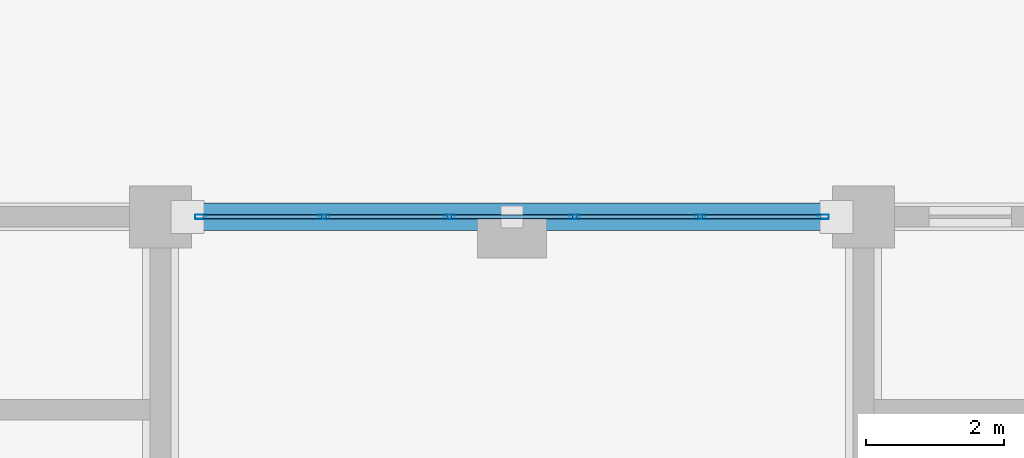
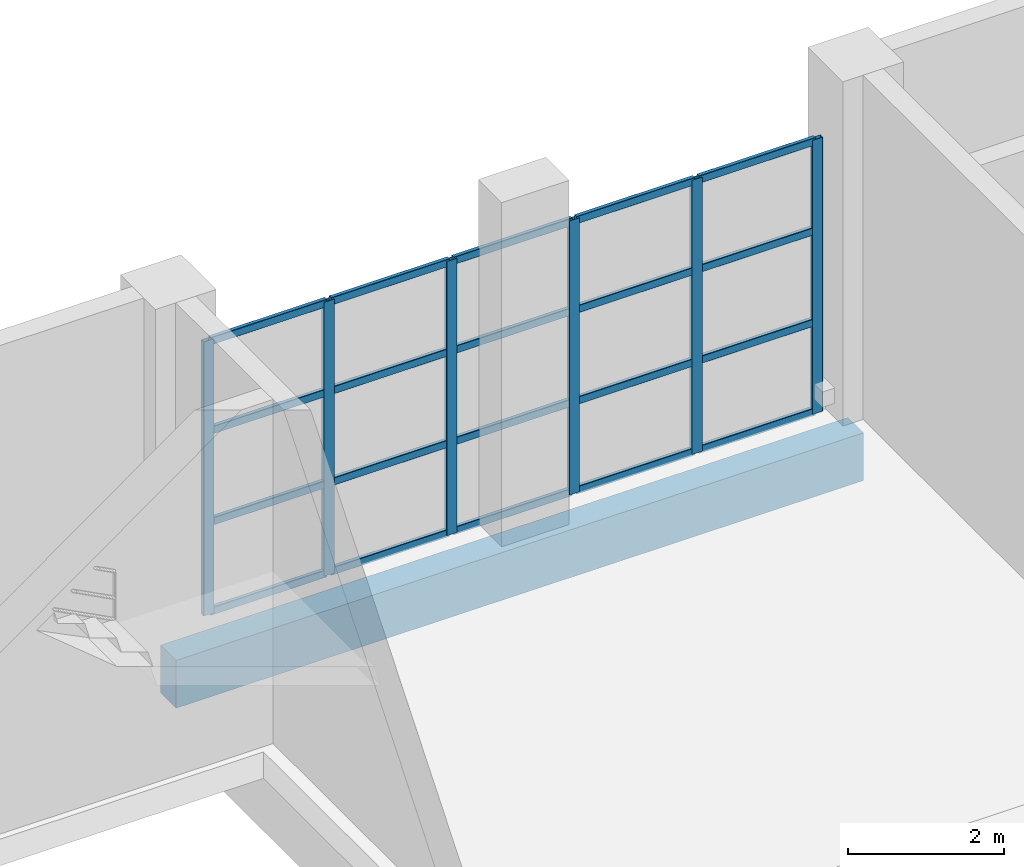
# One storey, part 66 of 124: 26 members, 1 beam, 1 element without a shape of its own.
"""IFC4 building model written with IfcOpenShell, lengths in metres."""

from ifc_helpers import new_model, si_unit, direction, frame, origin, origin_2d, place, context, subcontext, project, spatial, rectangle, hollow_rectangle, extrude, material, material_profile, profile_set, type_object, element, aggregate, save


model = new_model("IFC4")

# Units and contexts
model_context = context("Model", 3, precision=1e-05, world=origin(), true_north=direction((0.0, 1.0)))
body_context = subcontext(model_context, "Body", "Model", "MODEL_VIEW")
ifc_project = project(units=[si_unit("LENGTHUNIT", "METRE"), si_unit("AREAUNIT", "SQUARE_METRE"), si_unit("VOLUMEUNIT", "CUBIC_METRE"), si_unit("PLANEANGLEUNIT", "RADIAN"), si_unit("MASSUNIT", "GRAM", prefix="KILO")], contexts=[model_context])

# Site, building, storey
site_placement = place(None, origin())
site = spatial("IfcSite", under=ifc_project, at=site_placement, CompositionType="ELEMENT")
building_placement = place(site_placement, origin())
building = spatial("IfcBuilding", under=site, at=building_placement, Name="Brelvane Convention Centre", CompositionType="ELEMENT")
storey_placement = place(building_placement, origin())
storey = spatial("IfcBuildingStorey", under=building, at=storey_placement, Name="L00", CompositionType="ELEMENT", Elevation=0.0)

# Curtain wall, members
ifc_material_1 = material(Name="Anodised Aluminium Alloy 6063-T6", Category="aluminium")
curtain_wall_type = type_object("IfcCurtainWallType", Name="Curtain Wall CW-BOUL", PredefinedType="USERDEFINED", material=ifc_material_1)
curtain_wall_placement = place(storey_placement, origin())
curtain_wall = element("IfcCurtainWall", 1, at=curtain_wall_placement, inside=storey, type_object=curtain_wall_type, Name="Curtain Wall CW-BOUL L00-V4N-02", ObjectType="UNITISED", PredefinedType="USERDEFINED")
ifc_material_2 = material(Name="Anodised Aluminium Alloy 6063-T6", Category="aluminium")
ifc_material_profile_1 = material_profile(ifc_material_2, hollow_rectangle(XDim=0.06494140625, YDim=0.159912109375, WallThickness=0.00390625, InnerFilletRadius=0.00390625, OuterFilletRadius=0.008056640625, at=origin_2d()), Name="ALU-M 160x65x4.0")
ifc_profile_set_1 = profile_set([ifc_material_profile_1], Name="Anodised Aluminium Alloy 6063-T6")
member_type_1 = type_object("IfcMemberType", Name="Curtain Mullion CW-M3", PredefinedType="MULLION", material=ifc_profile_set_1)
member_1_placement = place(storey_placement, frame((10.782470703125, 144.0, 0.0), z_axis=(0.0, 0.0, 1.0), x_axis=(0.0, 1.0, 0.0)))
member_1 = element("IfcMember", 2, at=member_1_placement, type_object=member_type_1, Name="CW-BOUL mullion 1", PredefinedType="MULLION", context=body_context, shape_type="SweptSolid", body=[
    extrude(hollow_rectangle(XDim=0.06494140625, YDim=0.159912109375, WallThickness=0.00390625, InnerFilletRadius=0.00390625, OuterFilletRadius=0.008056640625, at=origin_2d()), origin(), (0.0, 0.0, 1.0), 4.300048828125),
])
member_2_placement = place(storey_placement, frame((12.570068359375, 144.0, 0.0), z_axis=(0.0, 0.0, 1.0), x_axis=(0.0, 1.0, 0.0)))
member_2 = element("IfcMember", 3, at=member_2_placement, type_object=member_type_1, Name="CW-BOUL mullion 2", PredefinedType="MULLION", context=body_context, shape_type="SweptSolid", body=[
    extrude(hollow_rectangle(XDim=0.06494140625, YDim=0.159912109375, WallThickness=0.00390625, InnerFilletRadius=0.00390625, OuterFilletRadius=0.008056640625, at=origin_2d()), origin(), (0.0, 0.0, 1.0), 4.300048828125),
])
member_3_placement = place(storey_placement, frame((14.389892578125, 144.0, 0.0), z_axis=(0.0, 0.0, 1.0), x_axis=(0.0, 1.0, 0.0)))
member_3 = element("IfcMember", 4, at=member_3_placement, type_object=member_type_1, Name="CW-BOUL mullion 3", PredefinedType="MULLION", context=body_context, shape_type="SweptSolid", body=[
    extrude(hollow_rectangle(XDim=0.06494140625, YDim=0.159912109375, WallThickness=0.00390625, InnerFilletRadius=0.00390625, OuterFilletRadius=0.008056640625, at=origin_2d()), origin(), (0.0, 0.0, 1.0), 4.300048828125),
])
member_4_placement = place(storey_placement, frame((16.2099609375, 144.0, 0.0), z_axis=(0.0, 0.0, 1.0), x_axis=(0.0, 1.0, 0.0)))
member_4 = element("IfcMember", 5, at=member_4_placement, type_object=member_type_1, Name="CW-BOUL mullion 4", PredefinedType="MULLION", context=body_context, shape_type="SweptSolid", body=[
    extrude(hollow_rectangle(XDim=0.06494140625, YDim=0.159912109375, WallThickness=0.00390625, InnerFilletRadius=0.00390625, OuterFilletRadius=0.008056640625, at=origin_2d()), origin(), (0.0, 0.0, 1.0), 4.300048828125),
])
member_5_placement = place(storey_placement, frame((18.030029296875, 144.0, 0.0), z_axis=(0.0, 0.0, 1.0), x_axis=(0.0, 1.0, 0.0)))
member_5 = element("IfcMember", 6, at=member_5_placement, type_object=member_type_1, Name="CW-BOUL mullion 5", PredefinedType="MULLION", context=body_context, shape_type="SweptSolid", body=[
    extrude(hollow_rectangle(XDim=0.06494140625, YDim=0.159912109375, WallThickness=0.00390625, InnerFilletRadius=0.00390625, OuterFilletRadius=0.008056640625, at=origin_2d()), origin(), (0.0, 0.0, 1.0), 4.300048828125),
])
member_6_placement = place(storey_placement, frame((19.8173828125, 144.0, 0.0), z_axis=(0.0, 0.0, 1.0), x_axis=(0.0, 1.0, 0.0)))
member_6 = element("IfcMember", 7, at=member_6_placement, type_object=member_type_1, Name="CW-BOUL mullion 6", PredefinedType="MULLION", context=body_context, shape_type="SweptSolid", body=[
    extrude(hollow_rectangle(XDim=0.06494140625, YDim=0.159912109375, WallThickness=0.00390625, InnerFilletRadius=0.00390625, OuterFilletRadius=0.008056640625, at=origin_2d()), origin(), (0.0, 0.0, 1.0), 4.300048828125),
])
ifc_material_3 = material(Name="Anodised Aluminium Alloy 6063-T6", Category="aluminium")
ifc_material_profile_2 = material_profile(ifc_material_3, hollow_rectangle(XDim=0.06005859375, YDim=0.1201171875, WallThickness=0.00390625, InnerFilletRadius=0.00390625, OuterFilletRadius=0.008056640625, at=origin_2d()), Name="ALU-T 120x60x4.0")
ifc_profile_set_2 = profile_set([ifc_material_profile_2], Name="Anodised Aluminium Alloy 6063-T6")
member_type_2 = type_object("IfcMemberType", Name="Curtain Transom CW-T3", PredefinedType="USERDEFINED", material=ifc_profile_set_2)
member_7_placement = place(storey_placement, frame((10.81494140625, 144.0, 0.030029296875), z_axis=(1.0, 0.0, 0.0), x_axis=(0.0, 1.0, 0.0)))
member_7 = element("IfcMember", 8, at=member_7_placement, type_object=member_type_2, Name="CW-BOUL transom 1.1", ObjectType="TRANSOM", PredefinedType="USERDEFINED", context=body_context, shape_type="SweptSolid", body=[
    extrude(hollow_rectangle(XDim=0.06005859375, YDim=0.1201171875, WallThickness=0.00390625, InnerFilletRadius=0.00390625, OuterFilletRadius=0.008056640625, at=origin_2d()), origin(), (0.0, 0.0, 1.0), 1.72265625),
])
member_8_placement = place(storey_placement, frame((10.81494140625, 144.0, 1.433349609375), z_axis=(1.0, 0.0, 0.0), x_axis=(0.0, 1.0, 0.0)))
member_8 = element("IfcMember", 9, at=member_8_placement, type_object=member_type_2, Name="CW-BOUL transom 1.2", ObjectType="TRANSOM", PredefinedType="USERDEFINED", context=body_context, shape_type="SweptSolid", body=[
    extrude(hollow_rectangle(XDim=0.06005859375, YDim=0.1201171875, WallThickness=0.00390625, InnerFilletRadius=0.00390625, OuterFilletRadius=0.008056640625, at=origin_2d()), origin(), (0.0, 0.0, 1.0), 1.72265625),
])
member_9_placement = place(storey_placement, frame((10.81494140625, 144.0, 2.86669921875), z_axis=(1.0, 0.0, 0.0), x_axis=(0.0, 1.0, 0.0)))
member_9 = element("IfcMember", 10, at=member_9_placement, type_object=member_type_2, Name="CW-BOUL transom 1.3", ObjectType="TRANSOM", PredefinedType="USERDEFINED", context=body_context, shape_type="SweptSolid", body=[
    extrude(hollow_rectangle(XDim=0.06005859375, YDim=0.1201171875, WallThickness=0.00390625, InnerFilletRadius=0.00390625, OuterFilletRadius=0.008056640625, at=origin_2d()), origin(), (0.0, 0.0, 1.0), 1.72265625),
])
member_10_placement = place(storey_placement, frame((10.81494140625, 144.0, 4.27001953125), z_axis=(1.0, 0.0, 0.0), x_axis=(0.0, 1.0, 0.0)))
member_10 = element("IfcMember", 11, at=member_10_placement, type_object=member_type_2, Name="CW-BOUL transom 1.4", ObjectType="TRANSOM", PredefinedType="USERDEFINED", context=body_context, shape_type="SweptSolid", body=[
    extrude(hollow_rectangle(XDim=0.06005859375, YDim=0.1201171875, WallThickness=0.00390625, InnerFilletRadius=0.00390625, OuterFilletRadius=0.008056640625, at=origin_2d()), origin(), (0.0, 0.0, 1.0), 1.72265625),
])
member_11_placement = place(storey_placement, frame((12.6025390625, 144.0, 0.030029296875), z_axis=(1.0, 0.0, 0.0), x_axis=(0.0, 1.0, 0.0)))
member_11 = element("IfcMember", 12, at=member_11_placement, type_object=member_type_2, Name="CW-BOUL transom 2.1", ObjectType="TRANSOM", PredefinedType="USERDEFINED", context=body_context, shape_type="SweptSolid", body=[
    extrude(hollow_rectangle(XDim=0.06005859375, YDim=0.1201171875, WallThickness=0.00390625, InnerFilletRadius=0.00390625, OuterFilletRadius=0.008056640625, at=origin_2d()), origin(), (0.0, 0.0, 1.0), 1.7548828125),
])
member_12_placement = place(storey_placement, frame((12.6025390625, 144.0, 1.433349609375), z_axis=(1.0, 0.0, 0.0), x_axis=(0.0, 1.0, 0.0)))
member_12 = element("IfcMember", 13, at=member_12_placement, type_object=member_type_2, Name="CW-BOUL transom 2.2", ObjectType="TRANSOM", PredefinedType="USERDEFINED", context=body_context, shape_type="SweptSolid", body=[
    extrude(hollow_rectangle(XDim=0.06005859375, YDim=0.1201171875, WallThickness=0.00390625, InnerFilletRadius=0.00390625, OuterFilletRadius=0.008056640625, at=origin_2d()), origin(), (0.0, 0.0, 1.0), 1.7548828125),
])
member_13_placement = place(storey_placement, frame((12.6025390625, 144.0, 2.86669921875), z_axis=(1.0, 0.0, 0.0), x_axis=(0.0, 1.0, 0.0)))
member_13 = element("IfcMember", 14, at=member_13_placement, type_object=member_type_2, Name="CW-BOUL transom 2.3", ObjectType="TRANSOM", PredefinedType="USERDEFINED", context=body_context, shape_type="SweptSolid", body=[
    extrude(hollow_rectangle(XDim=0.06005859375, YDim=0.1201171875, WallThickness=0.00390625, InnerFilletRadius=0.00390625, OuterFilletRadius=0.008056640625, at=origin_2d()), origin(), (0.0, 0.0, 1.0), 1.7548828125),
])
member_14_placement = place(storey_placement, frame((12.6025390625, 144.0, 4.27001953125), z_axis=(1.0, 0.0, 0.0), x_axis=(0.0, 1.0, 0.0)))
member_14 = element("IfcMember", 15, at=member_14_placement, type_object=member_type_2, Name="CW-BOUL transom 2.4", ObjectType="TRANSOM", PredefinedType="USERDEFINED", context=body_context, shape_type="SweptSolid", body=[
    extrude(hollow_rectangle(XDim=0.06005859375, YDim=0.1201171875, WallThickness=0.00390625, InnerFilletRadius=0.00390625, OuterFilletRadius=0.008056640625, at=origin_2d()), origin(), (0.0, 0.0, 1.0), 1.7548828125),
])
member_15_placement = place(storey_placement, frame((14.422607421875, 144.0, 0.030029296875), z_axis=(1.0, 0.0, 0.0), x_axis=(0.0, 1.0, 0.0)))
member_15 = element("IfcMember", 16, at=member_15_placement, type_object=member_type_2, Name="CW-BOUL transom 3.1", ObjectType="TRANSOM", PredefinedType="USERDEFINED", context=body_context, shape_type="SweptSolid", body=[
    extrude(hollow_rectangle(XDim=0.06005859375, YDim=0.1201171875, WallThickness=0.00390625, InnerFilletRadius=0.00390625, OuterFilletRadius=0.008056640625, at=origin_2d()), origin(), (0.0, 0.0, 1.0), 1.7548828125),
])
member_16_placement = place(storey_placement, frame((14.422607421875, 144.0, 1.433349609375), z_axis=(1.0, 0.0, 0.0), x_axis=(0.0, 1.0, 0.0)))
member_16 = element("IfcMember", 17, at=member_16_placement, type_object=member_type_2, Name="CW-BOUL transom 3.2", ObjectType="TRANSOM", PredefinedType="USERDEFINED", context=body_context, shape_type="SweptSolid", body=[
    extrude(hollow_rectangle(XDim=0.06005859375, YDim=0.1201171875, WallThickness=0.00390625, InnerFilletRadius=0.00390625, OuterFilletRadius=0.008056640625, at=origin_2d()), origin(), (0.0, 0.0, 1.0), 1.7548828125),
])
member_17_placement = place(storey_placement, frame((14.422607421875, 144.0, 2.86669921875), z_axis=(1.0, 0.0, 0.0), x_axis=(0.0, 1.0, 0.0)))
member_17 = element("IfcMember", 18, at=member_17_placement, type_object=member_type_2, Name="CW-BOUL transom 3.3", ObjectType="TRANSOM", PredefinedType="USERDEFINED", context=body_context, shape_type="SweptSolid", body=[
    extrude(hollow_rectangle(XDim=0.06005859375, YDim=0.1201171875, WallThickness=0.00390625, InnerFilletRadius=0.00390625, OuterFilletRadius=0.008056640625, at=origin_2d()), origin(), (0.0, 0.0, 1.0), 1.7548828125),
])
member_18_placement = place(storey_placement, frame((14.422607421875, 144.0, 4.27001953125), z_axis=(1.0, 0.0, 0.0), x_axis=(0.0, 1.0, 0.0)))
member_18 = element("IfcMember", 19, at=member_18_placement, type_object=member_type_2, Name="CW-BOUL transom 3.4", ObjectType="TRANSOM", PredefinedType="USERDEFINED", context=body_context, shape_type="SweptSolid", body=[
    extrude(hollow_rectangle(XDim=0.06005859375, YDim=0.1201171875, WallThickness=0.00390625, InnerFilletRadius=0.00390625, OuterFilletRadius=0.008056640625, at=origin_2d()), origin(), (0.0, 0.0, 1.0), 1.7548828125),
])
member_19_placement = place(storey_placement, frame((16.242431640625, 144.0, 0.030029296875), z_axis=(1.0, 0.0, 0.0), x_axis=(0.0, 1.0, 0.0)))
member_19 = element("IfcMember", 20, at=member_19_placement, type_object=member_type_2, Name="CW-BOUL transom 4.1", ObjectType="TRANSOM", PredefinedType="USERDEFINED", context=body_context, shape_type="SweptSolid", body=[
    extrude(hollow_rectangle(XDim=0.06005859375, YDim=0.1201171875, WallThickness=0.00390625, InnerFilletRadius=0.00390625, OuterFilletRadius=0.008056640625, at=origin_2d()), origin(), (0.0, 0.0, 1.0), 1.755126953125),
])
member_20_placement = place(storey_placement, frame((16.242431640625, 144.0, 1.433349609375), z_axis=(1.0, 0.0, 0.0), x_axis=(0.0, 1.0, 0.0)))
member_20 = element("IfcMember", 21, at=member_20_placement, type_object=member_type_2, Name="CW-BOUL transom 4.2", ObjectType="TRANSOM", PredefinedType="USERDEFINED", context=body_context, shape_type="SweptSolid", body=[
    extrude(hollow_rectangle(XDim=0.06005859375, YDim=0.1201171875, WallThickness=0.00390625, InnerFilletRadius=0.00390625, OuterFilletRadius=0.008056640625, at=origin_2d()), origin(), (0.0, 0.0, 1.0), 1.755126953125),
])
member_21_placement = place(storey_placement, frame((16.242431640625, 144.0, 2.86669921875), z_axis=(1.0, 0.0, 0.0), x_axis=(0.0, 1.0, 0.0)))
member_21 = element("IfcMember", 22, at=member_21_placement, type_object=member_type_2, Name="CW-BOUL transom 4.3", ObjectType="TRANSOM", PredefinedType="USERDEFINED", context=body_context, shape_type="SweptSolid", body=[
    extrude(hollow_rectangle(XDim=0.06005859375, YDim=0.1201171875, WallThickness=0.00390625, InnerFilletRadius=0.00390625, OuterFilletRadius=0.008056640625, at=origin_2d()), origin(), (0.0, 0.0, 1.0), 1.755126953125),
])
member_22_placement = place(storey_placement, frame((16.242431640625, 144.0, 4.27001953125), z_axis=(1.0, 0.0, 0.0), x_axis=(0.0, 1.0, 0.0)))
member_22 = element("IfcMember", 23, at=member_22_placement, type_object=member_type_2, Name="CW-BOUL transom 4.4", ObjectType="TRANSOM", PredefinedType="USERDEFINED", context=body_context, shape_type="SweptSolid", body=[
    extrude(hollow_rectangle(XDim=0.06005859375, YDim=0.1201171875, WallThickness=0.00390625, InnerFilletRadius=0.00390625, OuterFilletRadius=0.008056640625, at=origin_2d()), origin(), (0.0, 0.0, 1.0), 1.755126953125),
])
member_23_placement = place(storey_placement, frame((18.0625, 144.0, 0.030029296875), z_axis=(1.0, 0.0, 0.0), x_axis=(0.0, 1.0, 0.0)))
member_23 = element("IfcMember", 24, at=member_23_placement, type_object=member_type_2, Name="CW-BOUL transom 5.1", ObjectType="TRANSOM", PredefinedType="USERDEFINED", context=body_context, shape_type="SweptSolid", body=[
    extrude(hollow_rectangle(XDim=0.06005859375, YDim=0.1201171875, WallThickness=0.00390625, InnerFilletRadius=0.00390625, OuterFilletRadius=0.008056640625, at=origin_2d()), origin(), (0.0, 0.0, 1.0), 1.722412109375),
])
member_24_placement = place(storey_placement, frame((18.0625, 144.0, 1.433349609375), z_axis=(1.0, 0.0, 0.0), x_axis=(0.0, 1.0, 0.0)))
member_24 = element("IfcMember", 25, at=member_24_placement, type_object=member_type_2, Name="CW-BOUL transom 5.2", ObjectType="TRANSOM", PredefinedType="USERDEFINED", context=body_context, shape_type="SweptSolid", body=[
    extrude(hollow_rectangle(XDim=0.06005859375, YDim=0.1201171875, WallThickness=0.00390625, InnerFilletRadius=0.00390625, OuterFilletRadius=0.008056640625, at=origin_2d()), origin(), (0.0, 0.0, 1.0), 1.722412109375),
])
member_25_placement = place(storey_placement, frame((18.0625, 144.0, 2.86669921875), z_axis=(1.0, 0.0, 0.0), x_axis=(0.0, 1.0, 0.0)))
member_25 = element("IfcMember", 26, at=member_25_placement, type_object=member_type_2, Name="CW-BOUL transom 5.3", ObjectType="TRANSOM", PredefinedType="USERDEFINED", context=body_context, shape_type="SweptSolid", body=[
    extrude(hollow_rectangle(XDim=0.06005859375, YDim=0.1201171875, WallThickness=0.00390625, InnerFilletRadius=0.00390625, OuterFilletRadius=0.008056640625, at=origin_2d()), origin(), (0.0, 0.0, 1.0), 1.722412109375),
])
member_26_placement = place(storey_placement, frame((18.0625, 144.0, 4.27001953125), z_axis=(1.0, 0.0, 0.0), x_axis=(0.0, 1.0, 0.0)))
member_26 = element("IfcMember", 27, at=member_26_placement, type_object=member_type_2, Name="CW-BOUL transom 5.4", ObjectType="TRANSOM", PredefinedType="USERDEFINED", context=body_context, shape_type="SweptSolid", body=[
    extrude(hollow_rectangle(XDim=0.06005859375, YDim=0.1201171875, WallThickness=0.00390625, InnerFilletRadius=0.00390625, OuterFilletRadius=0.008056640625, at=origin_2d()), origin(), (0.0, 0.0, 1.0), 1.722412109375),
])
aggregate(curtain_wall, [member_1, member_2, member_3, member_4, member_5, member_6, member_7, member_8, member_9, member_10, member_11, member_12, member_13, member_14, member_15, member_16, member_17, member_18, member_19, member_20, member_21, member_22, member_23, member_24, member_25, member_26])

# Beam
ifc_material_4 = material(Name="Concrete M40", Category="concrete")
ifc_material_profile_3 = material_profile(ifc_material_4, rectangle(XDim=0.39990234375, YDim=0.75, at=origin_2d()), Name="RC 400x750")
ifc_profile_set_3 = profile_set([ifc_material_profile_3], Name="Concrete M40")
beam_type = type_object("IfcBeamType", Name="RC Spandrel SP-RC1 (RC 400x750)", PredefinedType="SPANDREL", material=ifc_profile_set_3)
beam_placement = place(storey_placement, frame((10.199951171875, 144.0, -0.7900390625), z_axis=(1.0, 0.0, 0.0), x_axis=(0.0, 1.0, 0.0)))
element("IfcBeam", 28, at=beam_placement, inside=storey, type_object=beam_type, Name="L00 Beam 2-3/Q", PredefinedType="SPANDREL", context=body_context, shape_type="SweptSolid", body=[
    extrude(rectangle(XDim=0.39990234375, YDim=0.75, at=origin_2d()), origin(), (0.0, 0.0, 1.0), 10.199951171875),
])

save(model, "model.ifc")
